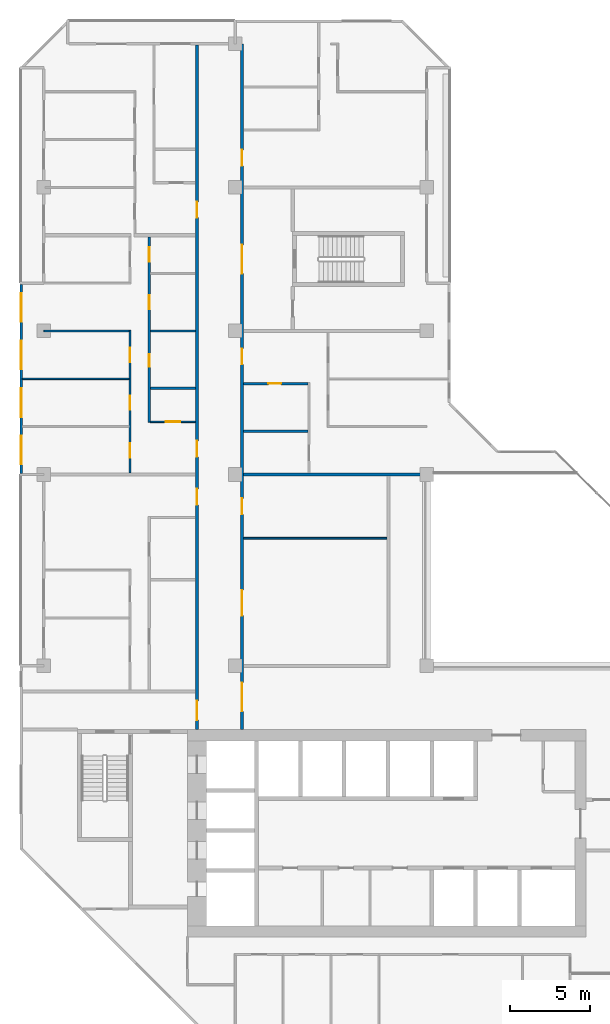
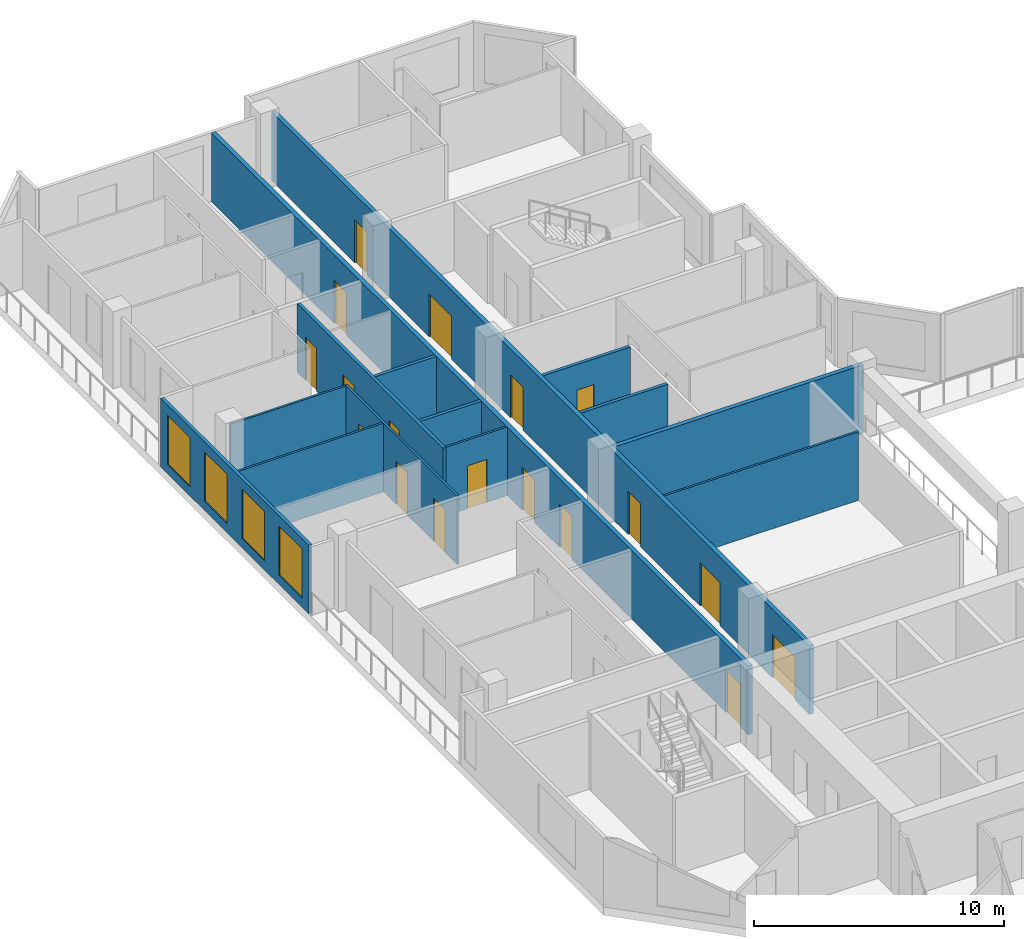
# One storey, part 9 of 16: 18 doors, 14 walls, 4 windows, 22 openings.
"""IFC4 building model written with IfcOpenShell, lengths in metres."""

from ifc_helpers import new_model, si_unit, direction, frame, frame_2d, origin, place, context, subcontext, project, spatial, rectangle, extrude, material, layer, layer_set, type_object, element, fill, save


model = new_model("IFC4")

# Units and contexts
model_context = context("Model", 3, precision=1e-05, world=origin(), true_north=direction((0.0, 1.0)))
body_context = subcontext(model_context, "Body", "Model", "MODEL_VIEW")
ifc_project = project(units=[si_unit("LENGTHUNIT", "METRE"), si_unit("AREAUNIT", "SQUARE_METRE"), si_unit("VOLUMEUNIT", "CUBIC_METRE"), si_unit("PLANEANGLEUNIT", "RADIAN"), si_unit("MASSUNIT", "GRAM", prefix="KILO")], contexts=[model_context])

# Site, building, storey
site_placement = place(None, origin())
site = spatial("IfcSite", under=ifc_project, at=site_placement, CompositionType="ELEMENT")
building_placement = place(site_placement, origin())
building = spatial("IfcBuilding", under=site, at=building_placement, Name="Chenar Terraces", CompositionType="ELEMENT")
storey_placement = place(building_placement, frame((0.0, 0.0, 222.89990234375)))
storey = spatial("IfcBuildingStorey", under=building, at=storey_placement, Name="L52", CompositionType="ELEMENT", Elevation=222.89990234375)

# Wall, openings, doors
ifc_material_1 = material(Name="Gypsum board on steel studs with fire boards", Category="steel")
ifc_layer_1 = layer(ifc_material_1, 0.199951171875)
ifc_layer_set_1 = layer_set([ifc_layer_1], Name="Gypsum board on steel studs with fire boards")
wall_type_1 = type_object("IfcWallType", Name="Corridor wall 200", PredefinedType="PARTITIONING", material=ifc_layer_set_1)
wall_1_placement = place(storey_placement, frame((9.60009765625, 20.0, 0.0), z_axis=(0.0, 0.0, 1.0), x_axis=(0.0, 1.0, 0.0)))
wall_1 = element("IfcWall", 1, at=wall_1_placement, inside=storey, type_object=wall_type_1, Name="Partition L52-033", PredefinedType="PARTITIONING", context=body_context, shape_type="SweptSolid", body=[
    extrude(rectangle(XDim=42.926025390625, YDim=0.199951171875, at=frame_2d((21.462890625, 0.0))), origin(), (0.0, 0.0, 1.0), 3.35009765625),
])
opening_1_placement = place(wall_1_placement, frame((17.10009765625, 0.0, 0.0)))
opening_1 = element("IfcOpeningElement", 2, at=opening_1_placement, cuts=wall_1, Name="Opening DL52-28", PredefinedType="OPENING", context=body_context, shape_type="SweptSolid", body=[
    extrude(rectangle(XDim=1.0, YDim=2.10009765625, at=frame_2d((0.5, 1.050048828125))), frame((0.0, 0.10986328125, 0.0), z_axis=(0.0, -1.0, 0.0), x_axis=(1.0, 0.0, 0.0)), (0.0, 0.0, 1.0), 0.219970703125),
])
opening_2_placement = place(wall_1_placement, frame((32.10009765625, 0.0, 0.0)))
opening_2 = element("IfcOpeningElement", 3, at=opening_2_placement, cuts=wall_1, Name="Opening DL52-36", PredefinedType="OPENING", context=body_context, shape_type="SweptSolid", body=[
    extrude(rectangle(XDim=1.0, YDim=2.10009765625, at=frame_2d((0.5, 1.050048828125))), frame((0.0, 0.10986328125, 0.0), z_axis=(0.0, -1.0, 0.0), x_axis=(1.0, 0.0, 0.0)), (0.0, 0.0, 1.0), 0.219970703125),
])
opening_3_placement = place(wall_1_placement, frame((0.60009765625, 0.0, 0.0)))
opening_3 = element("IfcOpeningElement", 4, at=opening_3_placement, cuts=wall_1, Name="Opening DL52-40", PredefinedType="OPENING", context=body_context, shape_type="SweptSolid", body=[
    extrude(rectangle(XDim=1.199951171875, YDim=2.10009765625, at=frame_2d((0.60009765625, 1.050048828125))), frame((0.0, 0.10986328125, 0.0), z_axis=(0.0, -1.0, 0.0), x_axis=(1.0, 0.0, 0.0)), (0.0, 0.0, 1.0), 0.219970703125),
])
opening_4_placement = place(wall_1_placement, frame((14.10009765625, 0.0, 0.0)))
opening_4 = element("IfcOpeningElement", 5, at=opening_4_placement, cuts=wall_1, Name="Opening DL52-64", PredefinedType="OPENING", context=body_context, shape_type="SweptSolid", body=[
    extrude(rectangle(XDim=1.0, YDim=2.10009765625, at=frame_2d((0.5, 1.050048828125))), frame((0.0, 0.10986328125, 0.0), z_axis=(0.0, -1.0, 0.0), x_axis=(1.0, 0.0, 0.0)), (0.0, 0.0, 1.0), 0.219970703125),
])
ifc_material_2 = material(Name="Steel-framed fire-resisting door leaf", Category="steel")
door_type_1 = type_object("IfcDoorType", Name="Fire door FD30S 1000 x 2100", OperationType="SINGLE_SWING_LEFT", PredefinedType="DOOR", material=ifc_material_2)
door_1_placement = place(opening_1_placement, origin())
door_1 = element("IfcDoor", 6, at=door_1_placement, inside=storey, type_object=door_type_1, Name="Door DL52-28", OperationType="SINGLE_SWING_LEFT", OverallHeight=2.10009765625, OverallWidth=1.0, PredefinedType="DOOR", context=body_context, shape_type="SweptSolid", body=[
    extrude(rectangle(XDim=1.0, YDim=2.10009765625, at=frame_2d((0.5, 1.050048828125))), frame((0.0, 0.02490234375, 0.0), z_axis=(0.0, -1.0, 0.0), x_axis=(1.0, 0.0, 0.0)), (0.0, 0.0, 1.0), 0.050048828125),
])
fill(opening_1, door_1)
door_2_placement = place(opening_2_placement, origin())
door_2 = element("IfcDoor", 7, at=door_2_placement, inside=storey, type_object=door_type_1, Name="Door DL52-36", OperationType="SINGLE_SWING_LEFT", OverallHeight=2.10009765625, OverallWidth=1.0, PredefinedType="DOOR", context=body_context, shape_type="SweptSolid", body=[
    extrude(rectangle(XDim=1.0, YDim=2.10009765625, at=frame_2d((0.5, 1.050048828125))), frame((0.0, 0.02490234375, 0.0), z_axis=(0.0, -1.0, 0.0), x_axis=(1.0, 0.0, 0.0)), (0.0, 0.0, 1.0), 0.050048828125),
])
fill(opening_2, door_2)
door_3_placement = place(opening_4_placement, origin())
door_3 = element("IfcDoor", 8, at=door_3_placement, inside=storey, type_object=door_type_1, Name="Door DL52-64", OperationType="SINGLE_SWING_LEFT", OverallHeight=2.10009765625, OverallWidth=1.0, PredefinedType="DOOR", context=body_context, shape_type="SweptSolid", body=[
    extrude(rectangle(XDim=1.0, YDim=2.10009765625, at=frame_2d((0.5, 1.050048828125))), frame((0.0, 0.02490234375, 0.0), z_axis=(0.0, -1.0, 0.0), x_axis=(1.0, 0.0, 0.0)), (0.0, 0.0, 1.0), 0.050048828125),
])
fill(opening_4, door_3)
ifc_material_3 = material(Name="Steel-framed fire-resisting door leaf", Category="steel")
door_type_2 = type_object("IfcDoorType", Name="Fire door FD30S 1200 x 2100", OperationType="SINGLE_SWING_LEFT", PredefinedType="DOOR", material=ifc_material_3)
door_4_placement = place(opening_3_placement, origin())
door_4 = element("IfcDoor", 9, at=door_4_placement, inside=storey, type_object=door_type_2, Name="Door DL52-40", OperationType="SINGLE_SWING_RIGHT", OverallHeight=2.10009765625, OverallWidth=1.199951171875, PredefinedType="DOOR", context=body_context, shape_type="SweptSolid", body=[
    extrude(rectangle(XDim=1.199951171875, YDim=2.10009765625, at=frame_2d((0.60009765625, 1.050048828125))), frame((0.0, 0.02490234375, 0.0), z_axis=(0.0, -1.0, 0.0), x_axis=(1.0, 0.0, 0.0)), (0.0, 0.0, 1.0), 0.050048828125),
])
fill(opening_3, door_4)

wall_2_placement = place(storey_placement, frame((12.425048828125, 20.0, 0.0), z_axis=(0.0, 0.0, 1.0), x_axis=(0.0, 1.0, 0.0)))
wall_2 = element("IfcWall", 10, at=wall_2_placement, inside=storey, type_object=wall_type_1, Name="Partition L52-036", PredefinedType="PARTITIONING", context=body_context, shape_type="SweptSolid", body=[
    extrude(rectangle(XDim=43.0, YDim=0.199951171875, at=frame_2d((21.5, 0.0))), origin(), (0.0, 0.0, 1.0), 3.35009765625),
])
opening_5_placement = place(wall_2_placement, frame((7.14990234375, 0.0, 0.0)))
opening_5 = element("IfcOpeningElement", 11, at=opening_5_placement, cuts=wall_2, Name="Opening DL52-1", PredefinedType="OPENING", context=body_context, shape_type="SweptSolid", body=[
    extrude(rectangle(XDim=1.60009765625, YDim=2.10009765625, at=frame_2d((0.800048828125, 1.050048828125))), frame((0.0, 0.10986328125, 0.0), z_axis=(0.0, -1.0, 0.0), x_axis=(1.0, 0.0, 0.0)), (0.0, 0.0, 1.0), 0.219970703125),
])
opening_6_placement = place(wall_2_placement, frame((13.5, 0.0, 0.0)))
opening_6 = element("IfcOpeningElement", 12, at=opening_6_placement, cuts=wall_2, Name="Opening DL52-2", PredefinedType="OPENING", context=body_context, shape_type="SweptSolid", body=[
    extrude(rectangle(XDim=1.0, YDim=2.10009765625, at=frame_2d((0.5, 1.050048828125))), frame((0.0, 0.10986328125, 0.0), z_axis=(0.0, -1.0, 0.0), x_axis=(1.0, 0.0, 0.0)), (0.0, 0.0, 1.0), 0.219970703125),
])
opening_7_placement = place(wall_2_placement, frame((22.89990234375, 0.0, 0.0)))
opening_7 = element("IfcOpeningElement", 13, at=opening_7_placement, cuts=wall_2, Name="Opening DL52-18", PredefinedType="OPENING", context=body_context, shape_type="SweptSolid", body=[
    extrude(rectangle(XDim=1.0, YDim=2.10009765625, at=frame_2d((0.5, 1.050048828125))), frame((0.0, 0.10986328125, 0.0), z_axis=(0.0, -1.0, 0.0), x_axis=(1.0, 0.0, 0.0)), (0.0, 0.0, 1.0), 0.219970703125),
])
opening_8_placement = place(wall_2_placement, frame((35.35009765625, 0.0, 0.0)))
opening_8 = element("IfcOpeningElement", 14, at=opening_8_placement, cuts=wall_2, Name="Opening DL52-22", PredefinedType="OPENING", context=body_context, shape_type="SweptSolid", body=[
    extrude(rectangle(XDim=1.0, YDim=2.10009765625, at=frame_2d((0.5, 1.050048828125))), frame((0.0, 0.10986328125, 0.0), z_axis=(0.0, -1.0, 0.0), x_axis=(1.0, 0.0, 0.0)), (0.0, 0.0, 1.0), 0.219970703125),
])
opening_9_placement = place(wall_2_placement, frame((1.14990234375, 0.0, 0.0)))
opening_9 = element("IfcOpeningElement", 15, at=opening_9_placement, cuts=wall_2, Name="Opening DL52-39", PredefinedType="OPENING", context=body_context, shape_type="SweptSolid", body=[
    extrude(rectangle(XDim=1.800048828125, YDim=2.10009765625, at=frame_2d((0.89990234375, 1.050048828125))), frame((0.0, 0.10986328125, 0.0), z_axis=(0.0, -1.0, 0.0), x_axis=(1.0, 0.0, 0.0)), (0.0, 0.0, 1.0), 0.219970703125),
])
opening_10_placement = place(wall_2_placement, frame((28.60009765625, 0.0, 0.0)))
opening_10 = element("IfcOpeningElement", 16, at=opening_10_placement, cuts=wall_2, Name="Opening DL52-41", PredefinedType="OPENING", context=body_context, shape_type="SweptSolid", body=[
    extrude(rectangle(XDim=1.800048828125, YDim=2.10009765625, at=frame_2d((0.89990234375, 1.050048828125))), frame((0.0, 0.10986328125, 0.0), z_axis=(0.0, -1.0, 0.0), x_axis=(1.0, 0.0, 0.0)), (0.0, 0.0, 1.0), 0.219970703125),
])
ifc_material_4 = material(Name="Steel-framed fire-resisting door leaf", Category="steel")
door_type_3 = type_object("IfcDoorType", Name="Fire door FD60 1000 x 2100", OperationType="SINGLE_SWING_LEFT", PredefinedType="DOOR", material=ifc_material_4)
door_5_placement = place(opening_6_placement, frame((1.0, 0.0, 0.0), z_axis=(0.0, 0.0, 1.0), x_axis=(-1.0, 0.0, 0.0)))
door_5 = element("IfcDoor", 17, at=door_5_placement, inside=storey, type_object=door_type_3, Name="Door DL52-2", OperationType="SINGLE_SWING_LEFT", OverallHeight=2.10009765625, OverallWidth=1.0, PredefinedType="DOOR", context=body_context, shape_type="SweptSolid", body=[
    extrude(rectangle(XDim=1.0, YDim=2.10009765625, at=frame_2d((0.5, 1.050048828125))), frame((0.0, 0.02490234375, 0.0), z_axis=(0.0, -1.0, 0.0), x_axis=(1.0, 0.0, 0.0)), (0.0, 0.0, 1.0), 0.050048828125),
])
fill(opening_6, door_5)
door_6_placement = place(opening_7_placement, frame((1.0, 0.0, 0.0), z_axis=(0.0, 0.0, 1.0), x_axis=(-1.0, 0.0, 0.0)))
door_6 = element("IfcDoor", 18, at=door_6_placement, inside=storey, type_object=door_type_3, Name="Door DL52-18", OperationType="SINGLE_SWING_LEFT", OverallHeight=2.10009765625, OverallWidth=1.0, PredefinedType="DOOR", context=body_context, shape_type="SweptSolid", body=[
    extrude(rectangle(XDim=1.0, YDim=2.10009765625, at=frame_2d((0.5, 1.050048828125))), frame((0.0, 0.02490234375, 0.0), z_axis=(0.0, -1.0, 0.0), x_axis=(1.0, 0.0, 0.0)), (0.0, 0.0, 1.0), 0.050048828125),
])
fill(opening_7, door_6)
door_7_placement = place(opening_8_placement, frame((1.0, 0.0, 0.0), z_axis=(0.0, 0.0, 1.0), x_axis=(-1.0, 0.0, 0.0)))
door_7 = element("IfcDoor", 19, at=door_7_placement, inside=storey, type_object=door_type_3, Name="Door DL52-22", OperationType="SINGLE_SWING_LEFT", OverallHeight=2.10009765625, OverallWidth=1.0, PredefinedType="DOOR", context=body_context, shape_type="SweptSolid", body=[
    extrude(rectangle(XDim=1.0, YDim=2.10009765625, at=frame_2d((0.5, 1.050048828125))), frame((0.0, 0.02490234375, 0.0), z_axis=(0.0, -1.0, 0.0), x_axis=(1.0, 0.0, 0.0)), (0.0, 0.0, 1.0), 0.050048828125),
])
fill(opening_8, door_7)
ifc_material_5 = material(Name="Steel-framed fire-resisting door leaf", Category="steel")
door_type_4 = type_object("IfcDoorType", Name="Fire double door FD60 1600 x 2100", OperationType="DOUBLE_DOOR_SINGLE_SWING", PredefinedType="DOOR", material=ifc_material_5)
door_8_placement = place(opening_5_placement, frame((1.60009765625, 0.0, 0.0), z_axis=(0.0, 0.0, 1.0), x_axis=(-1.0, 0.0, 0.0)))
door_8 = element("IfcDoor", 20, at=door_8_placement, inside=storey, type_object=door_type_4, Name="Door DL52-1", OperationType="DOUBLE_DOOR_SINGLE_SWING", OverallHeight=2.10009765625, OverallWidth=1.60009765625, PredefinedType="DOOR", context=body_context, shape_type="SweptSolid", body=[
    extrude(rectangle(XDim=1.60009765625, YDim=2.10009765625, at=frame_2d((0.800048828125, 1.050048828125))), frame((0.0, 0.02490234375, 0.0), z_axis=(0.0, -1.0, 0.0), x_axis=(1.0, 0.0, 0.0)), (0.0, 0.0, 1.0), 0.050048828125),
])
fill(opening_5, door_8)
ifc_material_6 = material(Name="Steel-framed fire-resisting door leaf", Category="steel")
door_type_5 = type_object("IfcDoorType", Name="Fire double door FD60 1800 x 2100", OperationType="DOUBLE_DOOR_SINGLE_SWING", PredefinedType="DOOR", material=ifc_material_6)
door_9_placement = place(opening_9_placement, frame((1.800048828125, 0.0, 0.0), z_axis=(0.0, 0.0, 1.0), x_axis=(-1.0, 0.0, 0.0)))
door_9 = element("IfcDoor", 21, at=door_9_placement, inside=storey, type_object=door_type_5, Name="Door DL52-39", OperationType="DOUBLE_DOOR_SINGLE_SWING", OverallHeight=2.10009765625, OverallWidth=1.800048828125, PredefinedType="DOOR", context=body_context, shape_type="SweptSolid", body=[
    extrude(rectangle(XDim=1.800048828125, YDim=2.10009765625, at=frame_2d((0.89990234375, 1.050048828125))), frame((0.0, 0.02490234375, 0.0), z_axis=(0.0, -1.0, 0.0), x_axis=(1.0, 0.0, 0.0)), (0.0, 0.0, 1.0), 0.050048828125),
])
fill(opening_9, door_9)
door_10_placement = place(opening_10_placement, frame((1.800048828125, 0.0, 0.0), z_axis=(0.0, 0.0, 1.0), x_axis=(-1.0, 0.0, 0.0)))
door_10 = element("IfcDoor", 22, at=door_10_placement, inside=storey, type_object=door_type_5, Name="Door DL52-41", OperationType="DOUBLE_DOOR_SINGLE_SWING", OverallHeight=2.10009765625, OverallWidth=1.800048828125, PredefinedType="DOOR", context=body_context, shape_type="SweptSolid", body=[
    extrude(rectangle(XDim=1.800048828125, YDim=2.10009765625, at=frame_2d((0.89990234375, 1.050048828125))), frame((0.0, 0.02490234375, 0.0), z_axis=(0.0, -1.0, 0.0), x_axis=(1.0, 0.0, 0.0)), (0.0, 0.0, 1.0), 0.050048828125),
])
fill(opening_10, door_10)

# Wall, openings, windows
ifc_material_7 = material(Name="Aluminium framed glazing", Category="aluminium")
ifc_layer_2 = layer(ifc_material_7, 0.14990234375)
ifc_layer_set_2 = layer_set([ifc_layer_2], Name="Aluminium framed glazing")
wall_type_2 = type_object("IfcWallType", Name="Glazed flush facade wall 150", PredefinedType="SOLIDWALL", material=ifc_layer_set_2)
wall_3_placement = place(storey_placement, frame((-1.425048828125, 47.925048828125, 0.0), z_axis=(0.0, 0.0, 1.0), x_axis=(0.0, -1.0, 0.0)))
wall_3 = element("IfcWall", 23, at=wall_3_placement, inside=storey, type_object=wall_type_2, Name="Glazed flush facade wall", PredefinedType="SOLIDWALL", context=body_context, shape_type="SweptSolid", body=[
    extrude(rectangle(XDim=11.85009765625, YDim=0.14990234375, at=frame_2d((5.925048828125, 0.0))), origin(), (0.0, 0.0, 1.0), 3.35009765625),
])
opening_11_placement = place(wall_3_placement, frame((0.5625, 0.0, 0.449951171875)))
opening_11 = element("IfcOpeningElement", 24, at=opening_11_placement, cuts=wall_3, Name="Opening W180x240", PredefinedType="OPENING", context=body_context, shape_type="SweptSolid", body=[
    extrude(rectangle(XDim=1.800048828125, YDim=2.39990234375, at=frame_2d((0.89990234375, 1.199951171875))), frame((0.0, 0.0849609375, 0.0), z_axis=(0.0, -1.0, 0.0), x_axis=(1.0, 0.0, 0.0)), (0.0, 0.0, 1.0), 0.169921875),
])
opening_12_placement = place(wall_3_placement, frame((3.52490234375, 0.0, 0.449951171875)))
opening_12 = element("IfcOpeningElement", 25, at=opening_12_placement, cuts=wall_3, Name="Opening W180x240", PredefinedType="OPENING", context=body_context, shape_type="SweptSolid", body=[
    extrude(rectangle(XDim=1.800048828125, YDim=2.39990234375, at=frame_2d((0.89990234375, 1.199951171875))), frame((0.0, 0.0849609375, 0.0), z_axis=(0.0, -1.0, 0.0), x_axis=(1.0, 0.0, 0.0)), (0.0, 0.0, 1.0), 0.169921875),
])
opening_13_placement = place(wall_3_placement, frame((6.52490234375, 0.0, 0.449951171875)))
opening_13 = element("IfcOpeningElement", 26, at=opening_13_placement, cuts=wall_3, Name="Opening W180x240", PredefinedType="OPENING", context=body_context, shape_type="SweptSolid", body=[
    extrude(rectangle(XDim=1.800048828125, YDim=2.39990234375, at=frame_2d((0.89990234375, 1.199951171875))), frame((0.0, 0.0849609375, 0.0), z_axis=(0.0, -1.0, 0.0), x_axis=(1.0, 0.0, 0.0)), (0.0, 0.0, 1.0), 0.169921875),
])
opening_14_placement = place(wall_3_placement, frame((9.487548828125, 0.0, 0.449951171875)))
opening_14 = element("IfcOpeningElement", 27, at=opening_14_placement, cuts=wall_3, Name="Opening W180x240", PredefinedType="OPENING", context=body_context, shape_type="SweptSolid", body=[
    extrude(rectangle(XDim=1.800048828125, YDim=2.39990234375, at=frame_2d((0.89990234375, 1.199951171875))), frame((0.0, 0.0849609375, 0.0), z_axis=(0.0, -1.0, 0.0), x_axis=(1.0, 0.0, 0.0)), (0.0, 0.0, 1.0), 0.169921875),
])
ifc_material_8 = material(Name="Low emissivity double glazing, aluminium frame", Category="aluminium")
window_type = type_object("IfcWindowType", Name="Fixed light 1800 x 2400", PartitioningType="SINGLE_PANEL", PredefinedType="WINDOW", material=ifc_material_8)
window_1_placement = place(opening_11_placement, origin())
window_1 = element("IfcWindow", 28, at=window_1_placement, inside=storey, type_object=window_type, Name="Window", OverallHeight=2.39990234375, OverallWidth=1.800048828125, PartitioningType="SINGLE_PANEL", PredefinedType="WINDOW", context=body_context, shape_type="SweptSolid", body=[
    extrude(rectangle(XDim=1.800048828125, YDim=2.39990234375, at=frame_2d((0.89990234375, 1.199951171875))), frame((0.0, 0.030029296875, 0.0), z_axis=(0.0, -1.0, 0.0), x_axis=(1.0, 0.0, 0.0)), (0.0, 0.0, 1.0), 0.06005859375),
])
fill(opening_11, window_1)
window_2_placement = place(opening_12_placement, origin())
window_2 = element("IfcWindow", 29, at=window_2_placement, inside=storey, type_object=window_type, Name="Window", OverallHeight=2.39990234375, OverallWidth=1.800048828125, PartitioningType="SINGLE_PANEL", PredefinedType="WINDOW", context=body_context, shape_type="SweptSolid", body=[
    extrude(rectangle(XDim=1.800048828125, YDim=2.39990234375, at=frame_2d((0.89990234375, 1.199951171875))), frame((0.0, 0.030029296875, 0.0), z_axis=(0.0, -1.0, 0.0), x_axis=(1.0, 0.0, 0.0)), (0.0, 0.0, 1.0), 0.06005859375),
])
fill(opening_12, window_2)
window_3_placement = place(opening_13_placement, origin())
window_3 = element("IfcWindow", 30, at=window_3_placement, inside=storey, type_object=window_type, Name="Window", OverallHeight=2.39990234375, OverallWidth=1.800048828125, PartitioningType="SINGLE_PANEL", PredefinedType="WINDOW", context=body_context, shape_type="SweptSolid", body=[
    extrude(rectangle(XDim=1.800048828125, YDim=2.39990234375, at=frame_2d((0.89990234375, 1.199951171875))), frame((0.0, 0.030029296875, 0.0), z_axis=(0.0, -1.0, 0.0), x_axis=(1.0, 0.0, 0.0)), (0.0, 0.0, 1.0), 0.06005859375),
])
fill(opening_13, window_3)
window_4_placement = place(opening_14_placement, origin())
window_4 = element("IfcWindow", 31, at=window_4_placement, inside=storey, type_object=window_type, Name="Window", OverallHeight=2.39990234375, OverallWidth=1.800048828125, PartitioningType="SINGLE_PANEL", PredefinedType="WINDOW", context=body_context, shape_type="SweptSolid", body=[
    extrude(rectangle(XDim=1.800048828125, YDim=2.39990234375, at=frame_2d((0.89990234375, 1.199951171875))), frame((0.0, 0.030029296875, 0.0), z_axis=(0.0, -1.0, 0.0), x_axis=(1.0, 0.0, 0.0)), (0.0, 0.0, 1.0), 0.06005859375),
])
fill(opening_14, window_4)

# Walls
ifc_material_9 = material(Name="Gypsum board on steel studs", Category="steel")
ifc_layer_3 = layer(ifc_material_9, 0.10009765625)
ifc_layer_set_3 = layer_set([ifc_layer_3], Name="Gypsum board on steel studs")
wall_type_3 = type_object("IfcWallType", Name="Gypsum partition 100", PredefinedType="PARTITIONING", material=ifc_layer_set_3)
wall_4_placement = place(storey_placement, frame((-1.35107421875, 42.0, 0.0), z_axis=(0.0, 0.0, 1.0), x_axis=(1.0, 0.0, 0.0)))
element("IfcWall", 32, at=wall_4_placement, inside=storey, type_object=wall_type_3, Name="Partition L52-002", PredefinedType="PARTITIONING", context=body_context, shape_type="SweptSolid", body=[
    extrude(rectangle(XDim=6.701171875, YDim=0.10009765625, at=frame_2d((3.3505859375, 0.0))), origin(), (0.0, 0.0, 1.0), 3.35009765625),
])
wall_5_placement = place(storey_placement, frame((0.0, 45.0, 0.0), z_axis=(0.0, 0.0, 1.0), x_axis=(1.0, 0.0, 0.0)))
element("IfcWall", 33, at=wall_5_placement, inside=storey, type_object=wall_type_3, Name="Partition L52-006", PredefinedType="PARTITIONING", context=body_context, shape_type="SweptSolid", body=[
    extrude(rectangle(XDim=5.35009765625, YDim=0.10009765625, at=frame_2d((2.675048828125, 0.0))), origin(), (0.0, 0.0, 1.0), 3.35009765625),
])

# Wall, openings, doors
wall_6_placement = place(storey_placement, frame((5.39990234375, 36.10009765625, 0.0), z_axis=(0.0, 0.0, 1.0), x_axis=(0.0, 1.0, 0.0)))
wall_6 = element("IfcWall", 34, at=wall_6_placement, inside=storey, type_object=wall_type_3, Name="Partition L52-016", PredefinedType="PARTITIONING", context=body_context, shape_type="SweptSolid", body=[
    extrude(rectangle(XDim=8.949951171875, YDim=0.10009765625, at=frame_2d((4.47509765625, 0.0))), origin(), (0.0, 0.0, 1.0), 3.35009765625),
])
opening_15_placement = place(wall_6_placement, frame((0.949951171875, 0.0, 0.0)))
opening_15 = element("IfcOpeningElement", 35, at=opening_15_placement, cuts=wall_6, Name="Opening DL52-24", PredefinedType="OPENING", context=body_context, shape_type="SweptSolid", body=[
    extrude(rectangle(XDim=0.89990234375, YDim=2.10009765625, at=frame_2d((0.449951171875, 1.050048828125))), frame((0.0, 0.06005859375, 0.0), z_axis=(0.0, -1.0, 0.0), x_axis=(1.0, 0.0, 0.0)), (0.0, 0.0, 1.0), 0.1201171875),
])
opening_16_placement = place(wall_6_placement, frame((3.949951171875, 0.0, 0.0)))
opening_16 = element("IfcOpeningElement", 36, at=opening_16_placement, cuts=wall_6, Name="Opening DL52-25", PredefinedType="OPENING", context=body_context, shape_type="SweptSolid", body=[
    extrude(rectangle(XDim=0.89990234375, YDim=2.10009765625, at=frame_2d((0.449951171875, 1.050048828125))), frame((0.0, 0.06005859375, 0.0), z_axis=(0.0, -1.0, 0.0), x_axis=(1.0, 0.0, 0.0)), (0.0, 0.0, 1.0), 0.1201171875),
])
opening_17_placement = place(wall_6_placement, frame((6.949951171875, 0.0, 0.0)))
opening_17 = element("IfcOpeningElement", 37, at=opening_17_placement, cuts=wall_6, Name="Opening DL52-26", PredefinedType="OPENING", context=body_context, shape_type="SweptSolid", body=[
    extrude(rectangle(XDim=0.89990234375, YDim=2.10009765625, at=frame_2d((0.449951171875, 1.050048828125))), frame((0.0, 0.06005859375, 0.0), z_axis=(0.0, -1.0, 0.0), x_axis=(1.0, 0.0, 0.0)), (0.0, 0.0, 1.0), 0.1201171875),
])
ifc_material_10 = material(Name="Veneered timber door leaf", Category="wood")
door_type_6 = type_object("IfcDoorType", Name="Door 900 x 2100", OperationType="SINGLE_SWING_LEFT", PredefinedType="DOOR", material=ifc_material_10)
door_11_placement = place(opening_15_placement, origin())
door_11 = element("IfcDoor", 38, at=door_11_placement, inside=storey, type_object=door_type_6, Name="Door DL52-24", OperationType="SINGLE_SWING_RIGHT", OverallHeight=2.10009765625, OverallWidth=0.89990234375, PredefinedType="DOOR", context=body_context, shape_type="SweptSolid", body=[
    extrude(rectangle(XDim=0.89990234375, YDim=2.10009765625, at=frame_2d((0.449951171875, 1.050048828125))), frame((0.0, 0.02490234375, 0.0), z_axis=(0.0, -1.0, 0.0), x_axis=(1.0, 0.0, 0.0)), (0.0, 0.0, 1.0), 0.050048828125),
])
fill(opening_15, door_11)
door_12_placement = place(opening_16_placement, origin())
door_12 = element("IfcDoor", 39, at=door_12_placement, inside=storey, type_object=door_type_6, Name="Door DL52-25", OperationType="SINGLE_SWING_RIGHT", OverallHeight=2.10009765625, OverallWidth=0.89990234375, PredefinedType="DOOR", context=body_context, shape_type="SweptSolid", body=[
    extrude(rectangle(XDim=0.89990234375, YDim=2.10009765625, at=frame_2d((0.449951171875, 1.050048828125))), frame((0.0, 0.02490234375, 0.0), z_axis=(0.0, -1.0, 0.0), x_axis=(1.0, 0.0, 0.0)), (0.0, 0.0, 1.0), 0.050048828125),
])
fill(opening_16, door_12)
door_13_placement = place(opening_17_placement, origin())
door_13 = element("IfcDoor", 40, at=door_13_placement, inside=storey, type_object=door_type_6, Name="Door DL52-26", OperationType="SINGLE_SWING_RIGHT", OverallHeight=2.10009765625, OverallWidth=0.89990234375, PredefinedType="DOOR", context=body_context, shape_type="SweptSolid", body=[
    extrude(rectangle(XDim=0.89990234375, YDim=2.10009765625, at=frame_2d((0.449951171875, 1.050048828125))), frame((0.0, 0.02490234375, 0.0), z_axis=(0.0, -1.0, 0.0), x_axis=(1.0, 0.0, 0.0)), (0.0, 0.0, 1.0), 0.050048828125),
])
fill(opening_17, door_13)

# Wall, opening, door
wall_7_placement = place(storey_placement, frame((6.675048828125, 39.300048828125, 0.0), z_axis=(0.0, 0.0, 1.0), x_axis=(1.0, 0.0, 0.0)))
wall_7 = element("IfcWall", 41, at=wall_7_placement, inside=storey, type_object=wall_type_3, Name="Partition L52-024", PredefinedType="PARTITIONING", context=body_context, shape_type="SweptSolid", body=[
    extrude(rectangle(XDim=2.824951171875, YDim=0.10009765625, at=frame_2d((1.41259765625, 0.0))), origin(), (0.0, 0.0, 1.0), 3.35009765625),
])
opening_18_placement = place(wall_7_placement, frame((0.97509765625, 0.0, 0.0)))
opening_18 = element("IfcOpeningElement", 42, at=opening_18_placement, cuts=wall_7, Name="Opening DL52-29", PredefinedType="OPENING", context=body_context, shape_type="SweptSolid", body=[
    extrude(rectangle(XDim=0.89990234375, YDim=2.10009765625, at=frame_2d((0.449951171875, 1.050048828125))), frame((0.0, 0.06005859375, 0.0), z_axis=(0.0, -1.0, 0.0), x_axis=(1.0, 0.0, 0.0)), (0.0, 0.0, 1.0), 0.1201171875),
])
door_14_placement = place(opening_18_placement, origin())
door_14 = element("IfcDoor", 43, at=door_14_placement, inside=storey, type_object=door_type_6, Name="Door DL52-29", OperationType="SINGLE_SWING_RIGHT", OverallHeight=2.10009765625, OverallWidth=0.89990234375, PredefinedType="DOOR", context=body_context, shape_type="SweptSolid", body=[
    extrude(rectangle(XDim=0.89990234375, YDim=2.10009765625, at=frame_2d((0.449951171875, 1.050048828125))), frame((0.0, 0.02490234375, 0.0), z_axis=(0.0, -1.0, 0.0), x_axis=(1.0, 0.0, 0.0)), (0.0, 0.0, 1.0), 0.050048828125),
])
fill(opening_18, door_14)

# Walls
wall_8_placement = place(storey_placement, frame((12.52490234375, 32.0, 0.0), z_axis=(0.0, 0.0, 1.0), x_axis=(1.0, 0.0, 0.0)))
element("IfcWall", 44, at=wall_8_placement, inside=storey, type_object=wall_type_3, Name="Partition L52-038", PredefinedType="PARTITIONING", context=body_context, shape_type="SweptSolid", body=[
    extrude(rectangle(XDim=8.97509765625, YDim=0.10009765625, at=frame_2d((4.487548828125, 0.0))), origin(), (0.0, 0.0, 1.0), 3.35009765625),
])
ifc_material_11 = material(Name="Twin gypsum board on steel studs with mineral wool", Category="steel")
ifc_layer_4 = layer(ifc_material_11, 0.199951171875)
ifc_layer_set_4 = layer_set([ifc_layer_4], Name="Twin gypsum board on steel studs with mineral wool")
wall_type_4 = type_object("IfcWallType", Name="Unit demising wall 200", PredefinedType="PARTITIONING", material=ifc_layer_set_4)
wall_9_placement = place(storey_placement, frame((12.52490234375, 36.0, 0.0), z_axis=(0.0, 0.0, 1.0), x_axis=(1.0, 0.0, 0.0)))
element("IfcWall", 45, at=wall_9_placement, inside=storey, type_object=wall_type_4, Name="Partition L52-039", PredefinedType="PARTITIONING", context=body_context, shape_type="SweptSolid", body=[
    extrude(rectangle(XDim=11.47509765625, YDim=0.199951171875, at=frame_2d((5.737548828125, 0.0))), origin(), (0.0, 0.0, 1.0), 3.35009765625),
])

# Wall, openings, doors
ifc_material_12 = material(Name="Moisture-resistant gypsum board on steel studs", Category="steel")
ifc_layer_5 = layer(ifc_material_12, 0.14990234375)
ifc_layer_set_5 = layer_set([ifc_layer_5], Name="Moisture-resistant gypsum board on steel studs")
wall_type_5 = type_object("IfcWallType", Name="Wet-room partition 150", PredefinedType="PARTITIONING", material=ifc_layer_set_5)
wall_10_placement = place(storey_placement, frame((6.60009765625, 39.25, 0.0), z_axis=(0.0, 0.0, 1.0), x_axis=(0.0, 1.0, 0.0)))
wall_10 = element("IfcWall", 46, at=wall_10_placement, inside=storey, type_object=wall_type_5, Name="Partition L52-021", PredefinedType="PARTITIONING", context=body_context, shape_type="SweptSolid", body=[
    extrude(rectangle(XDim=11.64990234375, YDim=0.14990234375, at=frame_2d((5.824951171875, 0.0))), origin(), (0.0, 0.0, 1.0), 3.35009765625),
])
opening_19_placement = place(wall_10_placement, frame((3.5, 0.0, 0.0)))
opening_19 = element("IfcOpeningElement", 47, at=opening_19_placement, cuts=wall_10, Name="Opening DL52-23", PredefinedType="OPENING", context=body_context, shape_type="SweptSolid", body=[
    extrude(rectangle(XDim=0.800048828125, YDim=2.10009765625, at=frame_2d((0.39990234375, 1.050048828125))), frame((0.0, 0.0849609375, 0.0), z_axis=(0.0, -1.0, 0.0), x_axis=(1.0, 0.0, 0.0)), (0.0, 0.0, 1.0), 0.169921875),
])
opening_20_placement = place(wall_10_placement, frame((7.10009765625, 0.0, 0.0)))
opening_20 = element("IfcOpeningElement", 48, at=opening_20_placement, cuts=wall_10, Name="Opening DL52-27", PredefinedType="OPENING", context=body_context, shape_type="SweptSolid", body=[
    extrude(rectangle(XDim=0.89990234375, YDim=2.10009765625, at=frame_2d((0.449951171875, 1.050048828125))), frame((0.0, 0.0849609375, 0.0), z_axis=(0.0, -1.0, 0.0), x_axis=(1.0, 0.0, 0.0)), (0.0, 0.0, 1.0), 0.169921875),
])
opening_21_placement = place(wall_10_placement, frame((10.10009765625, 0.0, 0.0)))
opening_21 = element("IfcOpeningElement", 49, at=opening_21_placement, cuts=wall_10, Name="Opening DL52-30", PredefinedType="OPENING", context=body_context, shape_type="SweptSolid", body=[
    extrude(rectangle(XDim=0.89990234375, YDim=2.10009765625, at=frame_2d((0.449951171875, 1.050048828125))), frame((0.0, 0.0849609375, 0.0), z_axis=(0.0, -1.0, 0.0), x_axis=(1.0, 0.0, 0.0)), (0.0, 0.0, 1.0), 0.169921875),
])
ifc_material_13 = material(Name="Veneered timber door leaf", Category="wood")
door_type_7 = type_object("IfcDoorType", Name="Door 800 x 2100", OperationType="SINGLE_SWING_LEFT", PredefinedType="DOOR", material=ifc_material_13)
door_15_placement = place(opening_19_placement, frame((0.800048828125, 0.0, 0.0), z_axis=(0.0, 0.0, 1.0), x_axis=(-1.0, 0.0, 0.0)))
door_15 = element("IfcDoor", 50, at=door_15_placement, inside=storey, type_object=door_type_7, Name="Door DL52-23", OperationType="SINGLE_SWING_RIGHT", OverallHeight=2.10009765625, OverallWidth=0.800048828125, PredefinedType="DOOR", context=body_context, shape_type="SweptSolid", body=[
    extrude(rectangle(XDim=0.800048828125, YDim=2.10009765625, at=frame_2d((0.39990234375, 1.050048828125))), frame((0.0, 0.02490234375, 0.0), z_axis=(0.0, -1.0, 0.0), x_axis=(1.0, 0.0, 0.0)), (0.0, 0.0, 1.0), 0.050048828125),
])
fill(opening_19, door_15)
door_16_placement = place(opening_20_placement, frame((0.89990234375, 0.0, 0.0), z_axis=(0.0, 0.0, 1.0), x_axis=(-1.0, 0.0, 0.0)))
door_16 = element("IfcDoor", 51, at=door_16_placement, inside=storey, type_object=door_type_6, Name="Door DL52-27", OperationType="SINGLE_SWING_RIGHT", OverallHeight=2.10009765625, OverallWidth=0.89990234375, PredefinedType="DOOR", context=body_context, shape_type="SweptSolid", body=[
    extrude(rectangle(XDim=0.89990234375, YDim=2.10009765625, at=frame_2d((0.449951171875, 1.050048828125))), frame((0.0, 0.02490234375, 0.0), z_axis=(0.0, -1.0, 0.0), x_axis=(1.0, 0.0, 0.0)), (0.0, 0.0, 1.0), 0.050048828125),
])
fill(opening_20, door_16)
door_17_placement = place(opening_21_placement, frame((0.89990234375, 0.0, 0.0), z_axis=(0.0, 0.0, 1.0), x_axis=(-1.0, 0.0, 0.0)))
door_17 = element("IfcDoor", 52, at=door_17_placement, inside=storey, type_object=door_type_6, Name="Door DL52-30", OperationType="SINGLE_SWING_LEFT", OverallHeight=2.10009765625, OverallWidth=0.89990234375, PredefinedType="DOOR", context=body_context, shape_type="SweptSolid", body=[
    extrude(rectangle(XDim=0.89990234375, YDim=2.10009765625, at=frame_2d((0.449951171875, 1.050048828125))), frame((0.0, 0.02490234375, 0.0), z_axis=(0.0, -1.0, 0.0), x_axis=(1.0, 0.0, 0.0)), (0.0, 0.0, 1.0), 0.050048828125),
])
fill(opening_21, door_17)

# Walls
for number, where, z_axis, x_axis, name in (
    (53, (6.675048828125, 41.39990234375, 0.0), (0.0, 0.0, 1.0), (1.0, 0.0, 0.0), "Partition L52-025"),
    (54, (6.675048828125, 45.0, 0.0), (0.0, 0.0, 1.0), (1.0, 0.0, 0.0), "Partition L52-026"),
):
    element("IfcWall", number, at=place(storey_placement, frame(where, z_axis=z_axis, x_axis=x_axis)), inside=storey, type_object=wall_type_5, Name=name, PredefinedType="PARTITIONING", context=body_context, shape_type="SweptSolid", body=[
        extrude(rectangle(XDim=2.824951171875, YDim=0.14990234375, at=frame_2d((1.41259765625, 0.0))), origin(), (0.0, 0.0, 1.0), 3.35009765625),
    ])
wall_11_placement = place(storey_placement, frame((12.52490234375, 38.699951171875, 0.0), z_axis=(0.0, 0.0, 1.0), x_axis=(1.0, 0.0, 0.0)))
element("IfcWall", 55, at=wall_11_placement, inside=storey, type_object=wall_type_5, Name="Partition L52-040", PredefinedType="PARTITIONING", context=body_context, shape_type="SweptSolid", body=[
    extrude(rectangle(XDim=4.025146484375, YDim=0.14990234375, at=frame_2d((2.0126953125, 0.0))), origin(), (0.0, 0.0, 1.0), 3.35009765625),
])

# Wall, opening, door
wall_12_placement = place(storey_placement, frame((12.52490234375, 41.699951171875, 0.0), z_axis=(0.0, 0.0, 1.0), x_axis=(1.0, 0.0, 0.0)))
wall_12 = element("IfcWall", 56, at=wall_12_placement, inside=storey, type_object=wall_type_5, Name="Partition L52-041", PredefinedType="PARTITIONING", context=body_context, shape_type="SweptSolid", body=[
    extrude(rectangle(XDim=4.025146484375, YDim=0.14990234375, at=frame_2d((2.0126953125, 0.0))), origin(), (0.0, 0.0, 1.0), 3.35009765625),
])
opening_22_placement = place(wall_12_placement, frame((1.550048828125, 0.0, 0.0)))
opening_22 = element("IfcOpeningElement", 57, at=opening_22_placement, cuts=wall_12, Name="Opening DL52-14", PredefinedType="OPENING", context=body_context, shape_type="SweptSolid", body=[
    extrude(rectangle(XDim=0.800048828125, YDim=2.10009765625, at=frame_2d((0.39990234375, 1.050048828125))), frame((0.0, 0.0849609375, 0.0), z_axis=(0.0, -1.0, 0.0), x_axis=(1.0, 0.0, 0.0)), (0.0, 0.0, 1.0), 0.169921875),
])
door_18_placement = place(opening_22_placement, frame((0.800048828125, 0.0, 0.0), z_axis=(0.0, 0.0, 1.0), x_axis=(-1.0, 0.0, 0.0)))
door_18 = element("IfcDoor", 58, at=door_18_placement, inside=storey, type_object=door_type_7, Name="Door DL52-14", OperationType="SINGLE_SWING_LEFT", OverallHeight=2.10009765625, OverallWidth=0.800048828125, PredefinedType="DOOR", context=body_context, shape_type="SweptSolid", body=[
    extrude(rectangle(XDim=0.800048828125, YDim=2.10009765625, at=frame_2d((0.39990234375, 1.050048828125))), frame((0.0, 0.02490234375, 0.0), z_axis=(0.0, -1.0, 0.0), x_axis=(1.0, 0.0, 0.0)), (0.0, 0.0, 1.0), 0.050048828125),
])
fill(opening_22, door_18)

save(model, "model.ifc")
